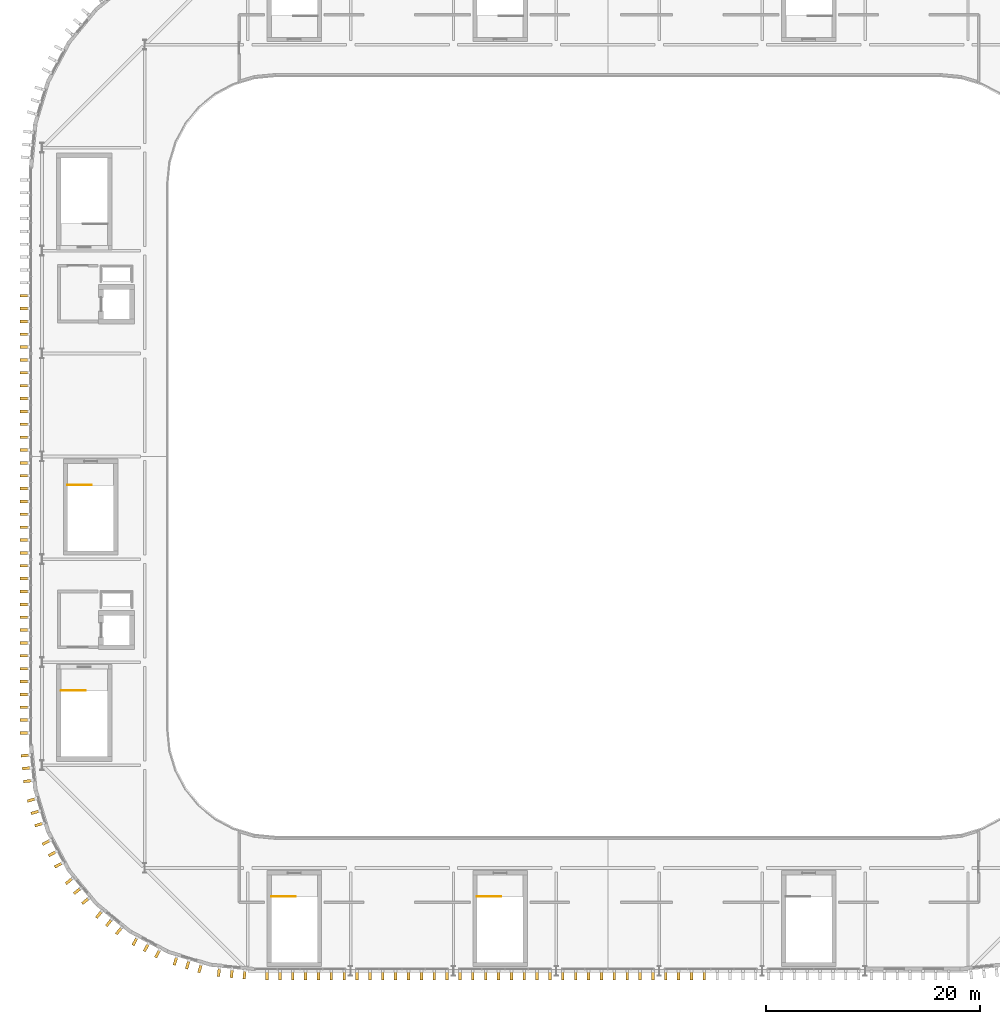
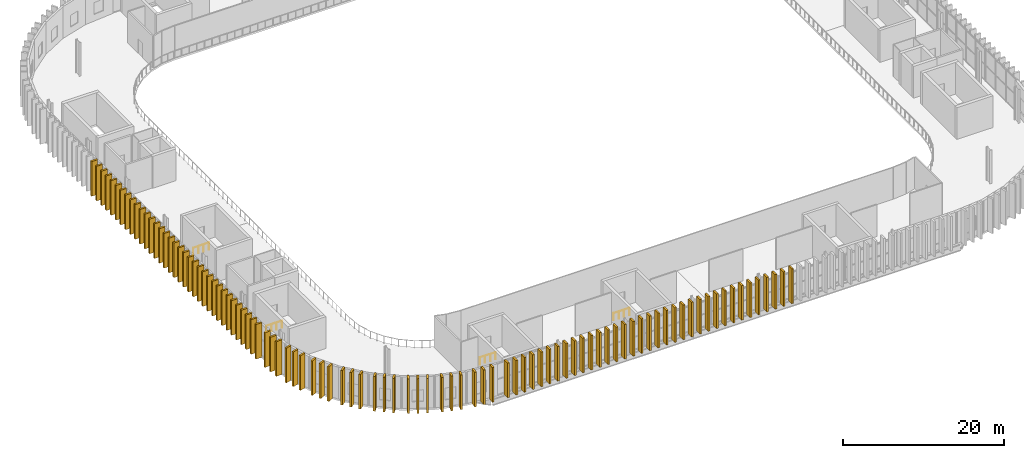
# One storey, part 42 of 45: 94 coverings, 4 railings.
"""IFC4 building model written with IfcOpenShell, lengths in metres."""

from ifc_helpers import new_model, si_unit, direction, frame, origin, origin_2d, place, context, subcontext, project, spatial, rectangle, circle, extrude, material, material_profile, profile_set, type_object, element, save


model = new_model("IFC4")

# Units and contexts
model_context = context("Model", 3, precision=1e-05, world=origin(), true_north=direction((0.0, 1.0)))
body_context = subcontext(model_context, "Body", "Model", "MODEL_VIEW")
ifc_project = project(units=[si_unit("LENGTHUNIT", "METRE"), si_unit("AREAUNIT", "SQUARE_METRE"), si_unit("VOLUMEUNIT", "CUBIC_METRE"), si_unit("PLANEANGLEUNIT", "RADIAN"), si_unit("MASSUNIT", "GRAM", prefix="KILO")], contexts=[model_context])

# Site, building, storey
site_placement = place(None, origin())
site = spatial("IfcSite", under=ifc_project, at=site_placement, CompositionType="ELEMENT")
building_placement = place(site_placement, origin())
building = spatial("IfcBuilding", under=site, at=building_placement, Name="Caelomonte Colonnade Arena", CompositionType="ELEMENT")
storey_placement = place(building_placement, frame((0.0, 0.0, 23.10009765625)))
storey = spatial("IfcBuildingStorey", under=building, at=storey_placement, Name="L05", CompositionType="ELEMENT", Elevation=23.10009765625)

# Coverings
ifc_material_1 = material(Name="Precast travertine cladding", Category="masonry")
ifc_material_profile = material_profile(ifc_material_1, rectangle(XDim=0.260009765625, YDim=0.85009765625, at=origin_2d()), Name="FIN260X850")
ifc_profile_set = profile_set([ifc_material_profile], Name="Precast travertine cladding")
covering_type = type_object("IfcCoveringType", Name="ENV-FN-SHAFT", PredefinedType="CLADDING", material=ifc_profile_set)
for number, where, z_axis, x_axis, name in (
    (1, (55.97900390625, 82.199951171875, -0.16015625), (0.0, 0.0, 1.0), (0.0, 1.0, 0.0), "V1 L05 classical travertine vertical fin 180"),
    (2, (55.97900390625, 81.0, -0.16015625), (0.0, 0.0, 1.0), (0.0, 1.0, 0.0), "V1 L05 classical travertine vertical fin 181"),
    (3, (55.97900390625, 79.800048828125, -0.16015625), (0.0, 0.0, 1.0), (0.0, 1.0, 0.0), "V1 L05 classical travertine vertical fin 182"),
    (4, (55.97900390625, 78.60009765625, -0.16015625), (0.0, 0.0, 1.0), (0.0, 1.0, 0.0), "V1 L05 classical travertine vertical fin 183"),
    (5, (55.97900390625, 77.39990234375, -0.16015625), (0.0, 0.0, 1.0), (0.0, 1.0, 0.0), "V1 L05 classical travertine vertical fin 184"),
    (6, (55.97900390625, 76.199951171875, -0.16015625), (0.0, 0.0, 1.0), (0.0, 1.0, 0.0), "V1 L05 classical travertine vertical fin 185"),
    (7, (55.97900390625, 75.0, -0.16015625), (0.0, 0.0, 1.0), (0.0, 1.0, 0.0), "V1 L05 classical travertine vertical fin 186"),
    (8, (55.97900390625, 73.800048828125, -0.16015625), (0.0, 0.0, 1.0), (0.0, 1.0, 0.0), "V1 L05 classical travertine vertical fin 187"),
    (9, (55.97900390625, 72.60009765625, -0.16015625), (0.0, 0.0, 1.0), (0.0, 1.0, 0.0), "V1 L05 classical travertine vertical fin 188"),
    (10, (55.97900390625, 71.39990234375, -0.16015625), (0.0, 0.0, 1.0), (0.0, 1.0, 0.0), "V1 L05 classical travertine vertical fin 189"),
    (11, (55.97900390625, 70.199951171875, -0.16015625), (0.0, 0.0, 1.0), (0.0, 1.0, 0.0), "V1 L05 classical travertine vertical fin 190"),
    (12, (55.97900390625, 69.0, -0.16015625), (0.0, 0.0, 1.0), (0.0, 1.0, 0.0), "V1 L05 classical travertine vertical fin 191"),
    (13, (55.97900390625, 67.800048828125, -0.16015625), (0.0, 0.0, 1.0), (0.0, 1.0, 0.0), "V1 L05 classical travertine vertical fin 192"),
    (14, (55.97900390625, 66.60009765625, -0.16015625), (0.0, 0.0, 1.0), (0.0, 1.0, 0.0), "V1 L05 classical travertine vertical fin 193"),
    (15, (55.97900390625, 65.39990234375, -0.16015625), (0.0, 0.0, 1.0), (0.0, 1.0, 0.0), "V1 L05 classical travertine vertical fin 194"),
    (16, (55.97900390625, 64.199951171875, -0.16015625), (0.0, 0.0, 1.0), (0.0, 1.0, 0.0), "V1 L05 classical travertine vertical fin 195"),
    (17, (55.97900390625, 63.0, -0.16015625), (0.0, 0.0, 1.0), (0.0, 1.0, 0.0), "V1 L05 classical travertine vertical fin 196"),
    (18, (55.97900390625, 61.800048828125, -0.16015625), (0.0, 0.0, 1.0), (0.0, 1.0, 0.0), "V1 L05 classical travertine vertical fin 197"),
    (19, (55.97900390625, 60.60009765625, -0.16015625), (0.0, 0.0, 1.0), (0.0, 1.0, 0.0), "V1 L05 classical travertine vertical fin 198"),
    (20, (55.97900390625, 59.39990234375, -0.16015625), (0.0, 0.0, 1.0), (0.0, 1.0, 0.0), "V1 L05 classical travertine vertical fin 199"),
    (21, (55.97900390625, 58.199951171875, -0.16015625), (0.0, 0.0, 1.0), (0.0, 1.0, 0.0), "V1 L05 classical travertine vertical fin 200"),
    (22, (55.97900390625, 57.0, -0.16015625), (0.0, 0.0, 1.0), (0.0, 1.0, 0.0), "V1 L05 classical travertine vertical fin 201"),
    (23, (55.97900390625, 55.800048828125, -0.16015625), (0.0, 0.0, 1.0), (0.0, 1.0, 0.0), "V1 L05 classical travertine vertical fin 202"),
    (24, (55.97900390625, 54.60009765625, -0.16015625), (0.0, 0.0, 1.0), (0.0, 1.0, 0.0), "V1 L05 classical travertine vertical fin 203"),
    (25, (55.97900390625, 53.39990234375, -0.16015625), (0.0, 0.0, 1.0), (0.0, 1.0, 0.0), "V1 L05 classical travertine vertical fin 204"),
    (26, (55.97900390625, 52.199951171875, -0.16015625), (0.0, 0.0, 1.0), (0.0, 1.0, 0.0), "V1 L05 classical travertine vertical fin 205"),
    (27, (55.97900390625, 51.0, -0.16015625), (0.0, 0.0, 1.0), (0.0, 1.0, 0.0), "V1 L05 classical travertine vertical fin 206"),
    (28, (55.97900390625, 49.800048828125, -0.16015625), (0.0, 0.0, 1.0), (0.0, 1.0, 0.0), "V1 L05 classical travertine vertical fin 207"),
    (29, (55.97900390625, 48.60009765625, -0.16015625), (0.0, 0.0, 1.0), (0.0, 1.0, 0.0), "V1 L05 classical travertine vertical fin 208"),
    (30, (55.97900390625, 47.39990234375, -0.16015625), (0.0, 0.0, 1.0), (0.0, 1.0, 0.0), "V1 L05 classical travertine vertical fin 209"),
    (31, (55.97900390625, 46.199951171875, -0.16015625), (0.0, 0.0, 1.0), (0.0, 1.0, 0.0), "V1 L05 classical travertine vertical fin 210"),
    (32, (55.97900390625, 45.0, -0.16015625), (0.0, 0.0, 1.0), (0.0, 1.0, 0.0), "V1 L05 classical travertine vertical fin 211"),
    (33, (55.97900390625, 43.800048828125, -0.16015625), (0.0, 0.0, 1.0), (0.0, 1.0, 0.0), "V1 L05 classical travertine vertical fin 212"),
    (34, (55.97900390625, 42.60009765625, -0.16015625), (0.0, 0.0, 1.0), (0.0, 1.0, 0.0), "V1 L05 classical travertine vertical fin 213"),
    (35, (55.97900390625, 41.39990234375, -0.16015625), (0.0, 0.0, 1.0), (0.0, 1.0, 0.0), "V1 L05 classical travertine vertical fin 214"),
    (36, (56.065185546875, 39.304443359375, -0.16015625), (0.0, 0.0, 1.0), (-0.098015403404, 0.995184897743, 0.0), "V1 L05 classical travertine vertical fin 215"),
    (37, (56.182861328125, 38.1103515625, -0.16015625), (0.0, 0.0, 1.0), (-0.098015403404, 0.995184897743, 0.0), "V1 L05 classical travertine vertical fin 216"),
    (38, (56.30029296875, 36.916015625, -0.16015625), (0.0, 0.0, 1.0), (-0.098015403404, 0.995184897743, 0.0), "V1 L05 classical travertine vertical fin 217"),
    (39, (56.64990234375, 35.159423828125, -0.16015625), (0.0, 0.0, 1.0), (-0.290276326364, 0.956942868907, 0.0), "V1 L05 classical travertine vertical fin 218"),
    (40, (56.998046875, 34.010986328125, -0.16015625), (0.0, 0.0, 1.0), (-0.290276326364, 0.956942868907, 0.0), "V1 L05 classical travertine vertical fin 219"),
    (41, (57.346435546875, 32.86279296875, -0.16015625), (0.0, 0.0, 1.0), (-0.290276326364, 0.956942868907, 0.0), "V1 L05 classical travertine vertical fin 220"),
    (42, (58.03173828125, 31.2080078125, -0.16015625), (0.0, 0.0, 1.0), (-0.471396736826, 0.881921264348, 0.0), "V1 L05 classical travertine vertical fin 221"),
    (43, (58.597412109375, 30.14990234375, -0.16015625), (0.0, 0.0, 1.0), (-0.471396736826, 0.881921264348, 0.0), "V1 L05 classical travertine vertical fin 222"),
    (44, (59.1630859375, 29.091552734375, -0.16015625), (0.0, 0.0, 1.0), (-0.471396736826, 0.881921264348, 0.0), "V1 L05 classical travertine vertical fin 223"),
    (45, (60.158203125, 27.602294921875, -0.16015625), (0.0, 0.0, 1.0), (-0.634413521313, 0.77299384472, 0.0), "V1 L05 classical travertine vertical fin 224"),
    (46, (60.91943359375, 26.6748046875, -0.16015625), (0.0, 0.0, 1.0), (-0.634413521313, 0.77299384472, 0.0), "V1 L05 classical travertine vertical fin 225"),
    (47, (61.680908203125, 25.747314453125, -0.16015625), (0.0, 0.0, 1.0), (-0.634413521313, 0.77299384472, 0.0), "V1 L05 classical travertine vertical fin 226"),
    (48, (62.947265625, 24.480712890625, -0.16015625), (0.0, 0.0, 1.0), (-0.77299384472, 0.634413521313, 0.0), "V1 L05 classical travertine vertical fin 227"),
    (49, (63.874755859375, 23.719482421875, -0.16015625), (0.0, 0.0, 1.0), (-0.77299384472, 0.634413521313, 0.0), "V1 L05 classical travertine vertical fin 228"),
    (50, (64.802490234375, 22.958251953125, -0.16015625), (0.0, 0.0, 1.0), (-0.77299384472, 0.634413521313, 0.0), "V1 L05 classical travertine vertical fin 229"),
    (51, (66.29150390625, 21.963134765625, -0.16015625), (0.0, 0.0, 1.0), (-0.881921264348, 0.471396736826, 0.0), "V1 L05 classical travertine vertical fin 230"),
    (52, (67.349853515625, 21.3974609375, -0.16015625), (0.0, 0.0, 1.0), (-0.881921264348, 0.471396736826, 0.0), "V1 L05 classical travertine vertical fin 231"),
    (53, (68.408203125, 20.831787109375, -0.16015625), (0.0, 0.0, 1.0), (-0.881921264348, 0.471396736826, 0.0), "V1 L05 classical travertine vertical fin 232"),
    (54, (70.062744140625, 20.146484375, -0.16015625), (0.0, 0.0, 1.0), (-0.956942868907, 0.290276326364, 0.0), "V1 L05 classical travertine vertical fin 233"),
    (55, (71.211181640625, 19.798095703125, -0.16015625), (0.0, 0.0, 1.0), (-0.956942868907, 0.290276326364, 0.0), "V1 L05 classical travertine vertical fin 234"),
    (56, (72.359619140625, 19.44970703125, -0.16015625), (0.0, 0.0, 1.0), (-0.956942868907, 0.290276326364, 0.0), "V1 L05 classical travertine vertical fin 235"),
    (57, (74.1162109375, 19.100341796875, -0.16015625), (0.0, 0.0, 1.0), (-0.995184897743, 0.098015403404, 0.0), "V1 L05 classical travertine vertical fin 236"),
    (58, (75.310302734375, 18.98291015625, -0.16015625), (0.0, 0.0, 1.0), (-0.995184897743, 0.098015403404, 0.0), "V1 L05 classical travertine vertical fin 237"),
    (59, (76.50439453125, 18.865234375, -0.16015625), (0.0, 0.0, 1.0), (-0.995184897743, 0.098015403404, 0.0), "V1 L05 classical travertine vertical fin 238"),
    (60, (78.60009765625, 18.779052734375, -0.16015625), (0.0, 0.0, 1.0), (-1.0, 0.0, 0.0), "V1 L05 classical travertine vertical fin 239"),
    (61, (79.800048828125, 18.779052734375, -0.16015625), (0.0, 0.0, 1.0), (-1.0, 0.0, 0.0), "V1 L05 classical travertine vertical fin 240"),
    (62, (81.0, 18.779052734375, -0.16015625), (0.0, 0.0, 1.0), (-1.0, 0.0, 0.0), "V1 L05 classical travertine vertical fin 241"),
    (63, (82.199951171875, 18.779052734375, -0.16015625), (0.0, 0.0, 1.0), (-1.0, 0.0, 0.0), "V1 L05 classical travertine vertical fin 242"),
    (64, (83.39990234375, 18.779052734375, -0.16015625), (0.0, 0.0, 1.0), (-1.0, 0.0, 0.0), "V1 L05 classical travertine vertical fin 243"),
    (65, (84.60009765625, 18.779052734375, -0.16015625), (0.0, 0.0, 1.0), (-1.0, 0.0, 0.0), "V1 L05 classical travertine vertical fin 244"),
    (66, (85.800048828125, 18.779052734375, -0.16015625), (0.0, 0.0, 1.0), (-1.0, 0.0, 0.0), "V1 L05 classical travertine vertical fin 245"),
    (67, (87.0, 18.779052734375, -0.16015625), (0.0, 0.0, 1.0), (-1.0, 0.0, 0.0), "V1 L05 classical travertine vertical fin 246"),
    (68, (88.199951171875, 18.779052734375, -0.16015625), (0.0, 0.0, 1.0), (-1.0, 0.0, 0.0), "V1 L05 classical travertine vertical fin 247"),
    (69, (89.39990234375, 18.779052734375, -0.16015625), (0.0, 0.0, 1.0), (-1.0, 0.0, 0.0), "V1 L05 classical travertine vertical fin 248"),
    (70, (90.60009765625, 18.779052734375, -0.16015625), (0.0, 0.0, 1.0), (-1.0, 0.0, 0.0), "V1 L05 classical travertine vertical fin 249"),
    (71, (91.800048828125, 18.779052734375, -0.16015625), (0.0, 0.0, 1.0), (-1.0, 0.0, 0.0), "V1 L05 classical travertine vertical fin 250"),
    (72, (93.0, 18.779052734375, -0.16015625), (0.0, 0.0, 1.0), (-1.0, 0.0, 0.0), "V1 L05 classical travertine vertical fin 251"),
    (73, (94.199951171875, 18.779052734375, -0.16015625), (0.0, 0.0, 1.0), (-1.0, 0.0, 0.0), "V1 L05 classical travertine vertical fin 252"),
    (74, (95.39990234375, 18.779052734375, -0.16015625), (0.0, 0.0, 1.0), (-1.0, 0.0, 0.0), "V1 L05 classical travertine vertical fin 253"),
    (75, (96.60009765625, 18.779052734375, -0.16015625), (0.0, 0.0, 1.0), (-1.0, 0.0, 0.0), "V1 L05 classical travertine vertical fin 254"),
    (76, (97.800048828125, 18.779052734375, -0.16015625), (0.0, 0.0, 1.0), (-1.0, 0.0, 0.0), "V1 L05 classical travertine vertical fin 255"),
    (77, (99.0, 18.779052734375, -0.16015625), (0.0, 0.0, 1.0), (-1.0, 0.0, 0.0), "V1 L05 classical travertine vertical fin 256"),
    (78, (100.199951171875, 18.779052734375, -0.16015625), (0.0, 0.0, 1.0), (-1.0, 0.0, 0.0), "V1 L05 classical travertine vertical fin 257"),
    (79, (101.39990234375, 18.779052734375, -0.16015625), (0.0, 0.0, 1.0), (-1.0, 0.0, 0.0), "V1 L05 classical travertine vertical fin 258"),
    (80, (102.60009765625, 18.779052734375, -0.16015625), (0.0, 0.0, 1.0), (-1.0, 0.0, 0.0), "V1 L05 classical travertine vertical fin 259"),
    (81, (103.800048828125, 18.779052734375, -0.16015625), (0.0, 0.0, 1.0), (-1.0, 0.0, 0.0), "V1 L05 classical travertine vertical fin 260"),
    (82, (105.0, 18.779052734375, -0.16015625), (0.0, 0.0, 1.0), (-1.0, 0.0, 0.0), "V1 L05 classical travertine vertical fin 261"),
    (83, (106.199951171875, 18.779052734375, -0.16015625), (0.0, 0.0, 1.0), (-1.0, 0.0, 0.0), "V1 L05 classical travertine vertical fin 262"),
    (84, (107.39990234375, 18.779052734375, -0.16015625), (0.0, 0.0, 1.0), (-1.0, 0.0, 0.0), "V1 L05 classical travertine vertical fin 263"),
    (85, (108.60009765625, 18.779052734375, -0.16015625), (0.0, 0.0, 1.0), (-1.0, 0.0, 0.0), "V1 L05 classical travertine vertical fin 264"),
    (86, (109.800048828125, 18.779052734375, -0.16015625), (0.0, 0.0, 1.0), (-1.0, 0.0, 0.0), "V1 L05 classical travertine vertical fin 265"),
    (87, (111.0, 18.779052734375, -0.16015625), (0.0, 0.0, 1.0), (-1.0, 0.0, 0.0), "V1 L05 classical travertine vertical fin 266"),
    (88, (112.199951171875, 18.779052734375, -0.16015625), (0.0, 0.0, 1.0), (-1.0, 0.0, 0.0), "V1 L05 classical travertine vertical fin 267"),
    (89, (113.39990234375, 18.779052734375, -0.16015625), (0.0, 0.0, 1.0), (-1.0, 0.0, 0.0), "V1 L05 classical travertine vertical fin 268"),
    (90, (114.60009765625, 18.779052734375, -0.16015625), (0.0, 0.0, 1.0), (-1.0, 0.0, 0.0), "V1 L05 classical travertine vertical fin 269"),
    (91, (115.800048828125, 18.779052734375, -0.16015625), (0.0, 0.0, 1.0), (-1.0, 0.0, 0.0), "V1 L05 classical travertine vertical fin 270"),
    (92, (117.0, 18.779052734375, -0.16015625), (0.0, 0.0, 1.0), (-1.0, 0.0, 0.0), "V1 L05 classical travertine vertical fin 271"),
    (93, (118.199951171875, 18.779052734375, -0.16015625), (0.0, 0.0, 1.0), (-1.0, 0.0, 0.0), "V1 L05 classical travertine vertical fin 272"),
    (94, (119.39990234375, 18.779052734375, -0.16015625), (0.0, 0.0, 1.0), (-1.0, 0.0, 0.0), "V1 L05 classical travertine vertical fin 273"),
):
    element("IfcCovering", number, at=place(storey_placement, frame(where, z_axis=z_axis, x_axis=x_axis)), inside=storey, type_object=covering_type, Name=name, PredefinedType="CLADDING", context=body_context, shape_type="SweptSolid", body=[
        extrude(rectangle(XDim=0.260009765625, YDim=0.85009765625, at=origin_2d()), origin(), (0.0, 0.0, 1.0), 5.260009765625),
    ])

# Railings
ifc_material_2 = material(Name="Painted galvanized steel stair guard", Category="steel")
railing_type = type_object("IfcRailingType", Name="INT-RL-GRD", PredefinedType="GUARDRAIL", material=ifc_material_2)
for number, where, name in (
    (95, (59.39990234375, 45.35009765625, 0.0), "L05 ST-01 top well guard 1"),
    (96, (60.0, 64.550048828125, 0.0), "L05 ST-09 top well guard 1"),
    (97, (79.0, 26.14990234375, 0.0), "L05 ST-11 top well guard 1"),
    (98, (98.199951171875, 26.14990234375, 0.0), "L05 ST-12 top well guard 1"),
):
    element("IfcRailing", number, at=place(storey_placement, frame(where)), inside=storey, type_object=railing_type, Name=name, PredefinedType="GUARDRAIL", context=body_context, shape_type="SweptSolid", body=[
        extrude(circle(Radius=0.02392578125, at=origin_2d()), frame((0.0, 0.0, 1.076171875), z_axis=(1.0, 0.0, 0.0), x_axis=(0.0, 1.0, 0.0)), (0.0, 0.0, 1.0), 2.25),
        extrude(circle(Radius=0.02099609375, at=origin_2d()), origin(), (0.0, 0.0, 1.0), 1.048095703125),
        extrude(circle(Radius=0.02099609375, at=origin_2d()), frame((0.75, 0.0, 0.0)), (0.0, 0.0, 1.0), 1.048095703125),
        extrude(circle(Radius=0.02099609375, at=origin_2d()), frame((1.5, 0.0, 0.0)), (0.0, 0.0, 1.0), 1.048095703125),
        extrude(circle(Radius=0.02099609375, at=origin_2d()), frame((2.25, 0.0, 0.0)), (0.0, 0.0, 1.0), 1.048095703125),
    ])

save(model, "model.ifc")
